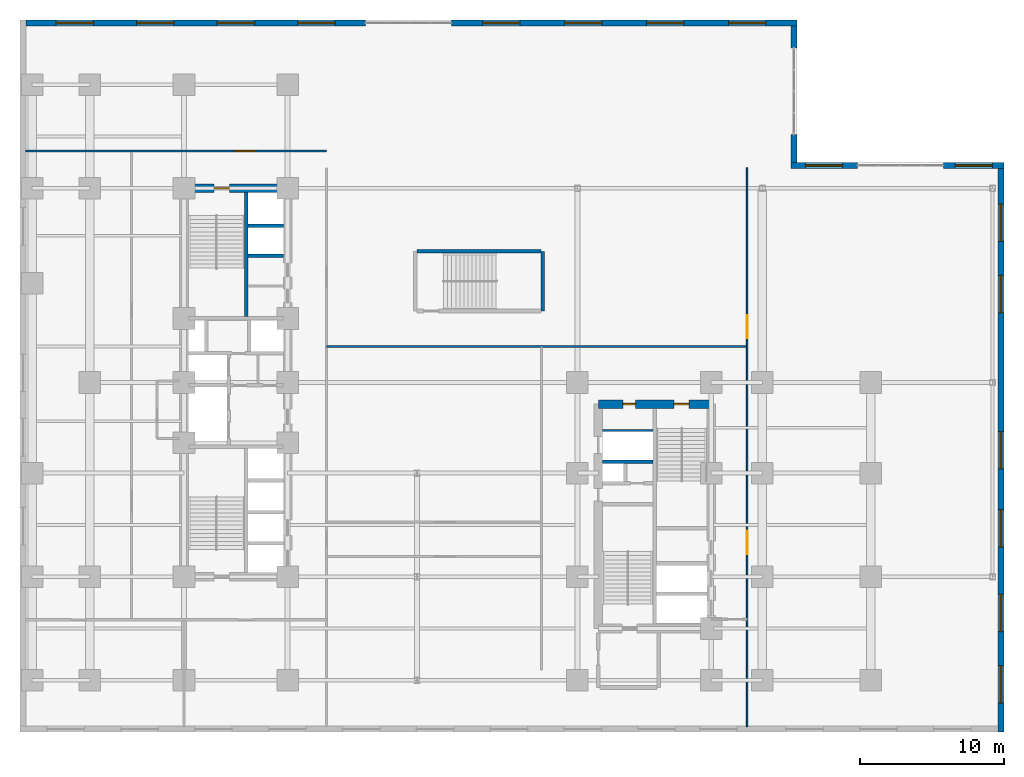
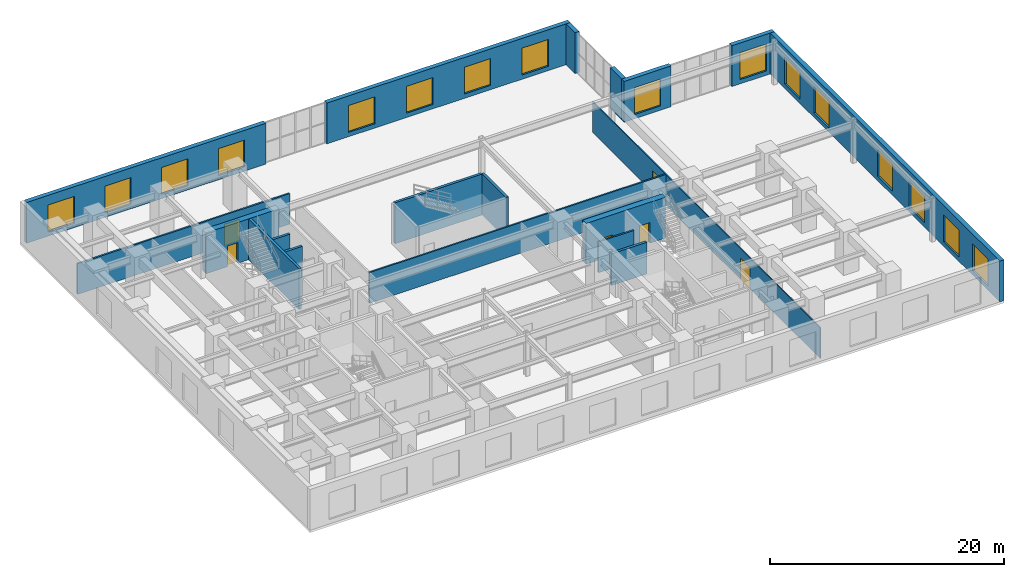
# One storey, part 11 of 15: 19 walls, 16 windows, 6 doors, 22 openings.
"""IFC4 building model written with IfcOpenShell, lengths in metres."""

from ifc_helpers import new_model, entity, si_unit, converted_unit, direction, frame, origin_with_axes, origin_2d_with_axis, place, context, subcontext, project, spatial, polyline, rectangle, outline, extrude, material, layer, layer_set, type_object, element, fill, save


model = new_model("IFC4")

# Units and contexts
model_context = context("Model", 3, precision=1e-05, world=origin_with_axes(), true_north=direction((0.0, 1.0)))
body_context = subcontext(model_context, "Body", "Model", "MODEL_VIEW")
ifc_project = project(units=[si_unit("LENGTHUNIT", "METRE"), si_unit("AREAUNIT", "SQUARE_METRE"), si_unit("VOLUMEUNIT", "CUBIC_METRE"), converted_unit("PLANEANGLEUNIT", "DEGREE", entity("IfcPlaneAngleMeasure", 0.017453292519943295), si_unit("PLANEANGLEUNIT", "RADIAN"), dimensions=[0, 0, 0, 0, 0, 0, 0]), si_unit("MASSUNIT", "GRAM", prefix="KILO"), si_unit("THERMODYNAMICTEMPERATUREUNIT", "KELVIN")], contexts=[model_context])

# Site, building, storey
site_placement = place(None, origin_with_axes())
site = spatial("IfcSite", under=ifc_project, at=site_placement, CompositionType="ELEMENT")
building_placement = place(site_placement, origin_with_axes())
building = spatial("IfcBuilding", under=site, at=building_placement, Name="Varnlund Millrace Tower", CompositionType="ELEMENT")
storey_placement = place(building_placement, frame((0.0, 0.0, 10.8), z_axis=(0.0, 0.0, 1.0), x_axis=(1.0, 0.0, 0.0)))
storey = spatial("IfcBuildingStorey", under=building, at=storey_placement, Name="L02", CompositionType="ELEMENT", Elevation=10.8)

# Wall, opening, door
ifc_material_1 = material(Name="Concrete C80/95", Category="concrete")
ifc_layer_1 = layer(ifc_material_1, 0.6, Name="Concrete C80/95")
ifc_layer_set_1 = layer_set([ifc_layer_1], Name="Concrete C80/95")
wall_type_1 = type_object("IfcWallType", Name="Type-CoreWall-Shear-600-C80", PredefinedType="SHEAR", material=ifc_layer_set_1)
wall_1_placement = place(storey_placement, frame((11.4, 37.8, 0.0), z_axis=(0.0, 0.0, 1.0), x_axis=(1.0, 0.0, 0.0)))
wall_1 = element("IfcWall", 1, at=wall_1_placement, inside=storey, type_object=wall_type_1, Name="Type-CoreWall-Shear-600-C80", PredefinedType="SHEAR", context=body_context, shape_type="SweptSolid", body=[
    extrude(outline(polyline([(0.0, -0.3), (7.2, -0.3), (7.2, 0.3), (0.0, 0.3), (0.0, -0.3)])), origin_with_axes(), (0.0, 0.0, 1.0), 4.26),
])
opening_1_placement = place(wall_1_placement, frame((2.625, 0.0, 0.0), z_axis=(0.0, 0.0, 1.0), x_axis=(1.0, 0.0, 0.0)))
opening_1 = element("IfcOpeningElement", 2, at=opening_1_placement, cuts=wall_1, Name="Opening L02:DR-STA2", PredefinedType="OPENING", context=body_context, shape_type="SweptSolid", body=[
    extrude(rectangle(XDim=1.05, YDim=0.62, at=origin_2d_with_axis()), origin_with_axes(), (0.0, 0.0, 1.0), 2.15),
])
ifc_material_2 = material(Name="Fire-rated hollow steel door", Category="steel")
door_type_1 = type_object("IfcDoorType", Name="Type-FireDoor-Stair-1050X2150", OperationType="NOTDEFINED", PredefinedType="DOOR", material=ifc_material_2)
door_1_placement = place(wall_1_placement, frame((2.625, 0.0, 0.0), z_axis=(0.0, 0.0, 1.0), x_axis=(1.0, 0.0, 0.0)))
door_1 = element("IfcDoor", 3, at=door_1_placement, inside=storey, type_object=door_type_1, Name="Type-FireDoor-Stair-1050X2150", OperationType="SINGLE_SWING_RIGHT", OverallHeight=2.15, OverallWidth=1.05, PredefinedType="DOOR", context=body_context, shape_type="SweptSolid", body=[
    extrude(rectangle(XDim=1.05, YDim=0.09, at=origin_2d_with_axis()), origin_with_axes(), (0.0, 0.0, 1.0), 2.15),
])
fill(opening_1, door_1)

# Wall, openings, doors
wall_2_placement = place(storey_placement, frame((40.2, 22.8, 0.0), z_axis=(0.0, 0.0, 1.0), x_axis=(1.0, 0.0, 0.0)))
wall_2 = element("IfcWall", 4, at=wall_2_placement, inside=storey, type_object=wall_type_1, Name="Type-CoreWall-Shear-600-C80", PredefinedType="SHEAR", context=body_context, shape_type="SweptSolid", body=[
    extrude(outline(polyline([(0.0, -0.3), (7.85, -0.3), (7.85, 0.3), (0.0, 0.3), (0.0, -0.3)])), origin_with_axes(), (0.0, 0.0, 1.0), 4.26),
])
opening_2_placement = place(wall_2_placement, frame((5.775, 0.0, 0.0), z_axis=(0.0, 0.0, 1.0), x_axis=(1.0, 0.0, 0.0)))
opening_2 = element("IfcOpeningElement", 5, at=opening_2_placement, cuts=wall_2, Name="Opening L02:DR-STB2", PredefinedType="OPENING", context=body_context, shape_type="SweptSolid", body=[
    extrude(rectangle(XDim=1.05, YDim=0.62, at=origin_2d_with_axis()), origin_with_axes(), (0.0, 0.0, 1.0), 2.15),
])
opening_3_placement = place(wall_2_placement, frame((2.15, 0.0, 0.0), z_axis=(0.0, 0.0, 1.0), x_axis=(1.0, 0.0, 0.0)))
opening_3 = element("IfcOpeningElement", 6, at=opening_3_placement, cuts=wall_2, Name="Opening L02:DR-CB-NW", PredefinedType="OPENING", context=body_context, shape_type="SweptSolid", body=[
    extrude(rectangle(XDim=0.9, YDim=0.62, at=origin_2d_with_axis()), origin_with_axes(), (0.0, 0.0, 1.0), 2.15),
])
ifc_material_3 = material(Name="Fire-rated hollow steel service closet door", Category="steel")
door_type_2 = type_object("IfcDoorType", Name="Type-FireDoor-Closet-900X2150", OperationType="NOTDEFINED", PredefinedType="DOOR", material=ifc_material_3)
door_2_placement = place(wall_2_placement, frame((2.15, 0.0, 0.0), z_axis=(0.0, 0.0, 1.0), x_axis=(1.0, 0.0, 0.0)))
door_2 = element("IfcDoor", 7, at=door_2_placement, inside=storey, type_object=door_type_2, Name="Type-FireDoor-Closet-900X2150", OperationType="SINGLE_SWING_LEFT", OverallHeight=2.15, OverallWidth=0.9, PredefinedType="DOOR", context=body_context, shape_type="SweptSolid", body=[
    extrude(rectangle(XDim=0.9, YDim=0.09, at=origin_2d_with_axis()), origin_with_axes(), (0.0, 0.0, 1.0), 2.15),
])
fill(opening_3, door_2)
door_3_placement = place(wall_2_placement, frame((5.775, 0.0, 0.0), z_axis=(0.0, 0.0, 1.0), x_axis=(1.0, 0.0, 0.0)))
door_3 = element("IfcDoor", 8, at=door_3_placement, inside=storey, type_object=door_type_1, Name="Type-FireDoor-Stair-1050X2150", OperationType="SINGLE_SWING_RIGHT", OverallHeight=2.15, OverallWidth=1.05, PredefinedType="DOOR", context=body_context, shape_type="SweptSolid", body=[
    extrude(rectangle(XDim=1.05, YDim=0.09, at=origin_2d_with_axis()), origin_with_axes(), (0.0, 0.0, 1.0), 2.15),
])
fill(opening_2, door_3)

# Wall, openings, windows
ifc_material_4 = material(Name="Precast concrete C50/60", Category="concrete")
ifc_layer_2 = layer(ifc_material_4, 0.42, Name="Precast concrete C50/60")
ifc_layer_set_2 = layer_set([ifc_layer_2], Name="Precast concrete C50/60")
wall_type_2 = type_object("IfcWallType", Name="Type-ExtWall-Precast-Pier-420", PredefinedType="SOLIDWALL", material=ifc_layer_set_2)
wall_3_placement = place(storey_placement, frame((0.42, 49.29, 0.0), z_axis=(0.0, 0.0, 1.0), x_axis=(1.0, 0.0, 0.0)))
wall_3 = element("IfcWall", 9, at=wall_3_placement, inside=storey, type_object=wall_type_2, Name="Type-ExtWall-Precast-Pier-420", PredefinedType="SOLIDWALL", context=body_context, shape_type="SweptSolid", body=[
    extrude(outline(polyline([(0.0, -0.21), (23.58, -0.21), (23.58, 0.21), (0.0, 0.21), (0.0, -0.21)])), origin_with_axes(), (0.0, 0.0, 1.0), 4.26),
])
opening_4_placement = place(wall_3_placement, frame((3.398, 0.0, 0.45), z_axis=(0.0, 0.0, 1.0), x_axis=(1.0, 0.0, 0.0)))
opening_4 = element("IfcOpeningElement", 10, at=opening_4_placement, cuts=wall_3, Name="Opening L02:WN-18", PredefinedType="OPENING", context=body_context, shape_type="SweptSolid", body=[
    extrude(rectangle(XDim=2.6, YDim=0.44, at=origin_2d_with_axis()), origin_with_axes(), (0.0, 0.0, 1.0), 2.8),
])
opening_5_placement = place(wall_3_placement, frame((8.992, 0.0, 0.45), z_axis=(0.0, 0.0, 1.0), x_axis=(1.0, 0.0, 0.0)))
opening_5 = element("IfcOpeningElement", 11, at=opening_5_placement, cuts=wall_3, Name="Opening L02:WN-19", PredefinedType="OPENING", context=body_context, shape_type="SweptSolid", body=[
    extrude(rectangle(XDim=2.6, YDim=0.44, at=origin_2d_with_axis()), origin_with_axes(), (0.0, 0.0, 1.0), 2.8),
])
opening_6_placement = place(wall_3_placement, frame((14.587, 0.0, 0.45), z_axis=(0.0, 0.0, 1.0), x_axis=(1.0, 0.0, 0.0)))
opening_6 = element("IfcOpeningElement", 12, at=opening_6_placement, cuts=wall_3, Name="Opening L02:WN-20", PredefinedType="OPENING", context=body_context, shape_type="SweptSolid", body=[
    extrude(rectangle(XDim=2.6, YDim=0.44, at=origin_2d_with_axis()), origin_with_axes(), (0.0, 0.0, 1.0), 2.8),
])
opening_7_placement = place(wall_3_placement, frame((20.183, 0.0, 0.45), z_axis=(0.0, 0.0, 1.0), x_axis=(1.0, 0.0, 0.0)))
opening_7 = element("IfcOpeningElement", 13, at=opening_7_placement, cuts=wall_3, Name="Opening L02:WN-21", PredefinedType="OPENING", context=body_context, shape_type="SweptSolid", body=[
    extrude(rectangle(XDim=2.6, YDim=0.44, at=origin_2d_with_axis()), origin_with_axes(), (0.0, 0.0, 1.0), 2.8),
])
ifc_material_5 = material(Name="Argon low-e triple glazing in thermally broken bronze frame", Category="glass")
window_type = type_object("IfcWindowType", Name="Type-Window-Podium-2600X2800", PartitioningType="SINGLE_PANEL", PredefinedType="WINDOW", material=ifc_material_5)
window_1_placement = place(wall_3_placement, frame((3.398, 0.0, 0.45), z_axis=(0.0, 0.0, 1.0), x_axis=(1.0, 0.0, 0.0)))
window_1 = element("IfcWindow", 14, at=window_1_placement, inside=storey, type_object=window_type, Name="Type-Window-Podium-2600X2800", OverallHeight=2.8, OverallWidth=2.6, PredefinedType="WINDOW", context=body_context, shape_type="SweptSolid", body=[
    extrude(rectangle(XDim=2.6, YDim=0.09, at=origin_2d_with_axis()), origin_with_axes(), (0.0, 0.0, 1.0), 2.8),
])
fill(opening_4, window_1)
window_2_placement = place(wall_3_placement, frame((8.992, 0.0, 0.45), z_axis=(0.0, 0.0, 1.0), x_axis=(1.0, 0.0, 0.0)))
window_2 = element("IfcWindow", 15, at=window_2_placement, inside=storey, type_object=window_type, Name="Type-Window-Podium-2600X2800", OverallHeight=2.8, OverallWidth=2.6, PredefinedType="WINDOW", context=body_context, shape_type="SweptSolid", body=[
    extrude(rectangle(XDim=2.6, YDim=0.09, at=origin_2d_with_axis()), origin_with_axes(), (0.0, 0.0, 1.0), 2.8),
])
fill(opening_5, window_2)
window_3_placement = place(wall_3_placement, frame((14.587, 0.0, 0.45), z_axis=(0.0, 0.0, 1.0), x_axis=(1.0, 0.0, 0.0)))
window_3 = element("IfcWindow", 16, at=window_3_placement, inside=storey, type_object=window_type, Name="Type-Window-Podium-2600X2800", OverallHeight=2.8, OverallWidth=2.6, PredefinedType="WINDOW", context=body_context, shape_type="SweptSolid", body=[
    extrude(rectangle(XDim=2.6, YDim=0.09, at=origin_2d_with_axis()), origin_with_axes(), (0.0, 0.0, 1.0), 2.8),
])
fill(opening_6, window_3)
window_4_placement = place(wall_3_placement, frame((20.183, 0.0, 0.45), z_axis=(0.0, 0.0, 1.0), x_axis=(1.0, 0.0, 0.0)))
window_4 = element("IfcWindow", 17, at=window_4_placement, inside=storey, type_object=window_type, Name="Type-Window-Podium-2600X2800", OverallHeight=2.8, OverallWidth=2.6, PredefinedType="WINDOW", context=body_context, shape_type="SweptSolid", body=[
    extrude(rectangle(XDim=2.6, YDim=0.09, at=origin_2d_with_axis()), origin_with_axes(), (0.0, 0.0, 1.0), 2.8),
])
fill(opening_7, window_4)

wall_4_placement = place(storey_placement, frame((30.0, 49.29, 0.0), z_axis=(0.0, 0.0, 1.0), x_axis=(1.0, 0.0, 0.0)))
wall_4 = element("IfcWall", 18, at=wall_4_placement, inside=storey, type_object=wall_type_2, Name="Type-ExtWall-Precast-Pier-420", PredefinedType="SOLIDWALL", context=body_context, shape_type="SweptSolid", body=[
    extrude(outline(polyline([(0.0, -0.21), (24.0, -0.21), (24.0, 0.21), (0.0, 0.21), (0.0, -0.21)])), origin_with_axes(), (0.0, 0.0, 1.0), 4.26),
])
opening_8_placement = place(wall_4_placement, frame((3.45, 0.0, 0.45), z_axis=(0.0, 0.0, 1.0), x_axis=(1.0, 0.0, 0.0)))
opening_8 = element("IfcOpeningElement", 19, at=opening_8_placement, cuts=wall_4, Name="Opening L02:WN-22", PredefinedType="OPENING", context=body_context, shape_type="SweptSolid", body=[
    extrude(rectangle(XDim=2.6, YDim=0.44, at=origin_2d_with_axis()), origin_with_axes(), (0.0, 0.0, 1.0), 2.8),
])
opening_9_placement = place(wall_4_placement, frame((9.15, 0.0, 0.45), z_axis=(0.0, 0.0, 1.0), x_axis=(1.0, 0.0, 0.0)))
opening_9 = element("IfcOpeningElement", 20, at=opening_9_placement, cuts=wall_4, Name="Opening L02:WN-23", PredefinedType="OPENING", context=body_context, shape_type="SweptSolid", body=[
    extrude(rectangle(XDim=2.6, YDim=0.44, at=origin_2d_with_axis()), origin_with_axes(), (0.0, 0.0, 1.0), 2.8),
])
opening_10_placement = place(wall_4_placement, frame((14.85, 0.0, 0.45), z_axis=(0.0, 0.0, 1.0), x_axis=(1.0, 0.0, 0.0)))
opening_10 = element("IfcOpeningElement", 21, at=opening_10_placement, cuts=wall_4, Name="Opening L02:WN-24", PredefinedType="OPENING", context=body_context, shape_type="SweptSolid", body=[
    extrude(rectangle(XDim=2.6, YDim=0.44, at=origin_2d_with_axis()), origin_with_axes(), (0.0, 0.0, 1.0), 2.8),
])
opening_11_placement = place(wall_4_placement, frame((20.55, 0.0, 0.45), z_axis=(0.0, 0.0, 1.0), x_axis=(1.0, 0.0, 0.0)))
opening_11 = element("IfcOpeningElement", 22, at=opening_11_placement, cuts=wall_4, Name="Opening L02:WN-25", PredefinedType="OPENING", context=body_context, shape_type="SweptSolid", body=[
    extrude(rectangle(XDim=2.6, YDim=0.44, at=origin_2d_with_axis()), origin_with_axes(), (0.0, 0.0, 1.0), 2.8),
])
window_5_placement = place(wall_4_placement, frame((3.45, 0.0, 0.45), z_axis=(0.0, 0.0, 1.0), x_axis=(1.0, 0.0, 0.0)))
window_5 = element("IfcWindow", 23, at=window_5_placement, inside=storey, type_object=window_type, Name="Type-Window-Podium-2600X2800", OverallHeight=2.8, OverallWidth=2.6, PredefinedType="WINDOW", context=body_context, shape_type="SweptSolid", body=[
    extrude(rectangle(XDim=2.6, YDim=0.09, at=origin_2d_with_axis()), origin_with_axes(), (0.0, 0.0, 1.0), 2.8),
])
fill(opening_8, window_5)
window_6_placement = place(wall_4_placement, frame((9.15, 0.0, 0.45), z_axis=(0.0, 0.0, 1.0), x_axis=(1.0, 0.0, 0.0)))
window_6 = element("IfcWindow", 24, at=window_6_placement, inside=storey, type_object=window_type, Name="Type-Window-Podium-2600X2800", OverallHeight=2.8, OverallWidth=2.6, PredefinedType="WINDOW", context=body_context, shape_type="SweptSolid", body=[
    extrude(rectangle(XDim=2.6, YDim=0.09, at=origin_2d_with_axis()), origin_with_axes(), (0.0, 0.0, 1.0), 2.8),
])
fill(opening_9, window_6)
window_7_placement = place(wall_4_placement, frame((14.85, 0.0, 0.45), z_axis=(0.0, 0.0, 1.0), x_axis=(1.0, 0.0, 0.0)))
window_7 = element("IfcWindow", 25, at=window_7_placement, inside=storey, type_object=window_type, Name="Type-Window-Podium-2600X2800", OverallHeight=2.8, OverallWidth=2.6, PredefinedType="WINDOW", context=body_context, shape_type="SweptSolid", body=[
    extrude(rectangle(XDim=2.6, YDim=0.09, at=origin_2d_with_axis()), origin_with_axes(), (0.0, 0.0, 1.0), 2.8),
])
fill(opening_10, window_7)
window_8_placement = place(wall_4_placement, frame((20.55, 0.0, 0.45), z_axis=(0.0, 0.0, 1.0), x_axis=(1.0, 0.0, 0.0)))
window_8 = element("IfcWindow", 26, at=window_8_placement, inside=storey, type_object=window_type, Name="Type-Window-Podium-2600X2800", OverallHeight=2.8, OverallWidth=2.6, PredefinedType="WINDOW", context=body_context, shape_type="SweptSolid", body=[
    extrude(rectangle(XDim=2.6, YDim=0.09, at=origin_2d_with_axis()), origin_with_axes(), (0.0, 0.0, 1.0), 2.8),
])
fill(opening_11, window_8)

# Walls
wall_5_placement = place(storey_placement, frame((53.79, 49.08, 0.0), z_axis=(0.0, 0.0, 1.0), x_axis=(0.0, -1.0, 0.0)))
element("IfcWall", 27, at=wall_5_placement, inside=storey, type_object=wall_type_2, Name="Type-ExtWall-Precast-Pier-420", PredefinedType="SOLIDWALL", context=body_context, shape_type="SweptSolid", body=[
    extrude(outline(polyline([(0.0, -0.21), (1.53, -0.21), (1.53, 0.21), (0.0, 0.21), (0.0, -0.21)])), origin_with_axes(), (0.0, 0.0, 1.0), 4.26),
])
wall_6_placement = place(storey_placement, frame((53.79, 41.55, 0.0), z_axis=(0.0, 0.0, 1.0), x_axis=(0.0, -1.0, 0.0)))
element("IfcWall", 28, at=wall_6_placement, inside=storey, type_object=wall_type_2, Name="Type-ExtWall-Precast-Pier-420", PredefinedType="SOLIDWALL", context=body_context, shape_type="SweptSolid", body=[
    extrude(outline(polyline([(0.0, -0.21), (1.95, -0.21), (1.95, 0.21), (0.0, 0.21), (0.0, -0.21)])), origin_with_axes(), (0.0, 0.0, 1.0), 4.26),
])

# Wall, opening, window
wall_7_placement = place(storey_placement, frame((53.58, 39.39, 0.0), z_axis=(0.0, 0.0, 1.0), x_axis=(1.0, 0.0, 0.0)))
wall_7 = element("IfcWall", 29, at=wall_7_placement, inside=storey, type_object=wall_type_2, Name="Type-ExtWall-Precast-Pier-420", PredefinedType="SOLIDWALL", context=body_context, shape_type="SweptSolid", body=[
    extrude(outline(polyline([(0.0, -0.21), (4.62, -0.21), (4.62, 0.21), (0.0, 0.21), (0.0, -0.21)])), origin_with_axes(), (0.0, 0.0, 1.0), 4.26),
])
opening_12_placement = place(wall_7_placement, frame((2.31, 0.0, 0.45), z_axis=(0.0, 0.0, 1.0), x_axis=(1.0, 0.0, 0.0)))
opening_12 = element("IfcOpeningElement", 30, at=opening_12_placement, cuts=wall_7, Name="Opening L02:WN-26", PredefinedType="OPENING", context=body_context, shape_type="SweptSolid", body=[
    extrude(rectangle(XDim=2.6, YDim=0.44, at=origin_2d_with_axis()), origin_with_axes(), (0.0, 0.0, 1.0), 2.8),
])
window_9_placement = place(wall_7_placement, frame((2.31, 0.0, 0.45), z_axis=(0.0, 0.0, 1.0), x_axis=(1.0, 0.0, 0.0)))
window_9 = element("IfcWindow", 31, at=window_9_placement, inside=storey, type_object=window_type, Name="Type-Window-Podium-2600X2800", OverallHeight=2.8, OverallWidth=2.6, PredefinedType="WINDOW", context=body_context, shape_type="SweptSolid", body=[
    extrude(rectangle(XDim=2.6, YDim=0.09, at=origin_2d_with_axis()), origin_with_axes(), (0.0, 0.0, 1.0), 2.8),
])
fill(opening_12, window_9)

wall_8_placement = place(storey_placement, frame((64.2, 39.39, 0.0), z_axis=(0.0, 0.0, 1.0), x_axis=(1.0, 0.0, 0.0)))
wall_8 = element("IfcWall", 32, at=wall_8_placement, inside=storey, type_object=wall_type_2, Name="Type-ExtWall-Precast-Pier-420", PredefinedType="SOLIDWALL", context=body_context, shape_type="SweptSolid", body=[
    extrude(outline(polyline([(0.0, -0.21), (4.2, -0.21), (4.2, 0.21), (0.0, 0.21), (0.0, -0.21)])), origin_with_axes(), (0.0, 0.0, 1.0), 4.26),
])
opening_13_placement = place(wall_8_placement, frame((2.1, 0.0, 0.45), z_axis=(0.0, 0.0, 1.0), x_axis=(1.0, 0.0, 0.0)))
opening_13 = element("IfcOpeningElement", 33, at=opening_13_placement, cuts=wall_8, Name="Opening L02:WN-27", PredefinedType="OPENING", context=body_context, shape_type="SweptSolid", body=[
    extrude(rectangle(XDim=2.6, YDim=0.44, at=origin_2d_with_axis()), origin_with_axes(), (0.0, 0.0, 1.0), 2.8),
])
window_10_placement = place(wall_8_placement, frame((2.1, 0.0, 0.45), z_axis=(0.0, 0.0, 1.0), x_axis=(1.0, 0.0, 0.0)))
window_10 = element("IfcWindow", 34, at=window_10_placement, inside=storey, type_object=window_type, Name="Type-Window-Podium-2600X2800", OverallHeight=2.8, OverallWidth=2.6, PredefinedType="WINDOW", context=body_context, shape_type="SweptSolid", body=[
    extrude(rectangle(XDim=2.6, YDim=0.09, at=origin_2d_with_axis()), origin_with_axes(), (0.0, 0.0, 1.0), 2.8),
])
fill(opening_13, window_10)

# Wall, openings, windows
wall_9_placement = place(storey_placement, frame((68.19, 39.18, 0.0), z_axis=(0.0, 0.0, 1.0), x_axis=(0.0, -1.0, 0.0)))
wall_9 = element("IfcWall", 35, at=wall_9_placement, inside=storey, type_object=wall_type_2, Name="Type-ExtWall-Precast-Pier-420", PredefinedType="SOLIDWALL", context=body_context, shape_type="SweptSolid", body=[
    extrude(outline(polyline([(0.0, -0.21), (39.18, -0.21), (39.18, 0.21), (0.0, 0.21), (0.0, -0.21)])), origin_with_axes(), (0.0, 0.0, 1.0), 4.26),
])
opening_14_placement = place(wall_9_placement, frame((3.763, 0.0, 0.45), z_axis=(0.0, 0.0, 1.0), x_axis=(1.0, 0.0, 0.0)))
opening_14 = element("IfcOpeningElement", 36, at=opening_14_placement, cuts=wall_9, Name="Opening L02:WN-28", PredefinedType="OPENING", context=body_context, shape_type="SweptSolid", body=[
    extrude(rectangle(XDim=2.6, YDim=0.44, at=origin_2d_with_axis()), origin_with_axes(), (0.0, 0.0, 1.0), 2.8),
])
opening_15_placement = place(wall_9_placement, frame((8.739, 0.0, 0.45), z_axis=(0.0, 0.0, 1.0), x_axis=(1.0, 0.0, 0.0)))
opening_15 = element("IfcOpeningElement", 37, at=opening_15_placement, cuts=wall_9, Name="Opening L02:WN-29", PredefinedType="OPENING", context=body_context, shape_type="SweptSolid", body=[
    extrude(rectangle(XDim=2.6, YDim=0.44, at=origin_2d_with_axis()), origin_with_axes(), (0.0, 0.0, 1.0), 2.8),
])
opening_16_placement = place(wall_9_placement, frame((19.59, 0.0, 0.45), z_axis=(0.0, 0.0, 1.0), x_axis=(1.0, 0.0, 0.0)))
opening_16 = element("IfcOpeningElement", 38, at=opening_16_placement, cuts=wall_9, Name="Opening L02:WN-30", PredefinedType="OPENING", context=body_context, shape_type="SweptSolid", body=[
    extrude(rectangle(XDim=2.6, YDim=0.44, at=origin_2d_with_axis()), origin_with_axes(), (0.0, 0.0, 1.0), 2.8),
])
opening_17_placement = place(wall_9_placement, frame((25.016, 0.0, 0.45), z_axis=(0.0, 0.0, 1.0), x_axis=(1.0, 0.0, 0.0)))
opening_17 = element("IfcOpeningElement", 39, at=opening_17_placement, cuts=wall_9, Name="Opening L02:WN-31", PredefinedType="OPENING", context=body_context, shape_type="SweptSolid", body=[
    extrude(rectangle(XDim=2.6, YDim=0.44, at=origin_2d_with_axis()), origin_with_axes(), (0.0, 0.0, 1.0), 2.8),
])
opening_18_placement = place(wall_9_placement, frame((30.891, 0.0, 0.45), z_axis=(0.0, 0.0, 1.0), x_axis=(1.0, 0.0, 0.0)))
opening_18 = element("IfcOpeningElement", 40, at=opening_18_placement, cuts=wall_9, Name="Opening L02:WN-32", PredefinedType="OPENING", context=body_context, shape_type="SweptSolid", body=[
    extrude(rectangle(XDim=2.6, YDim=0.44, at=origin_2d_with_axis()), origin_with_axes(), (0.0, 0.0, 1.0), 2.8),
])
opening_19_placement = place(wall_9_placement, frame((35.867, 0.0, 0.45), z_axis=(0.0, 0.0, 1.0), x_axis=(1.0, 0.0, 0.0)))
opening_19 = element("IfcOpeningElement", 41, at=opening_19_placement, cuts=wall_9, Name="Opening L02:WN-33", PredefinedType="OPENING", context=body_context, shape_type="SweptSolid", body=[
    extrude(rectangle(XDim=2.6, YDim=0.44, at=origin_2d_with_axis()), origin_with_axes(), (0.0, 0.0, 1.0), 2.8),
])
window_11_placement = place(wall_9_placement, frame((3.763, 0.0, 0.45), z_axis=(0.0, 0.0, 1.0), x_axis=(1.0, 0.0, 0.0)))
window_11 = element("IfcWindow", 42, at=window_11_placement, inside=storey, type_object=window_type, Name="Type-Window-Podium-2600X2800", OverallHeight=2.8, OverallWidth=2.6, PredefinedType="WINDOW", context=body_context, shape_type="SweptSolid", body=[
    extrude(rectangle(XDim=2.6, YDim=0.09, at=origin_2d_with_axis()), origin_with_axes(), (0.0, 0.0, 1.0), 2.8),
])
fill(opening_14, window_11)
window_12_placement = place(wall_9_placement, frame((8.739, 0.0, 0.45), z_axis=(0.0, 0.0, 1.0), x_axis=(1.0, 0.0, 0.0)))
window_12 = element("IfcWindow", 43, at=window_12_placement, inside=storey, type_object=window_type, Name="Type-Window-Podium-2600X2800", OverallHeight=2.8, OverallWidth=2.6, PredefinedType="WINDOW", context=body_context, shape_type="SweptSolid", body=[
    extrude(rectangle(XDim=2.6, YDim=0.09, at=origin_2d_with_axis()), origin_with_axes(), (0.0, 0.0, 1.0), 2.8),
])
fill(opening_15, window_12)
window_13_placement = place(wall_9_placement, frame((19.59, 0.0, 0.45), z_axis=(0.0, 0.0, 1.0), x_axis=(1.0, 0.0, 0.0)))
window_13 = element("IfcWindow", 44, at=window_13_placement, inside=storey, type_object=window_type, Name="Type-Window-Podium-2600X2800", OverallHeight=2.8, OverallWidth=2.6, PredefinedType="WINDOW", context=body_context, shape_type="SweptSolid", body=[
    extrude(rectangle(XDim=2.6, YDim=0.09, at=origin_2d_with_axis()), origin_with_axes(), (0.0, 0.0, 1.0), 2.8),
])
fill(opening_16, window_13)
window_14_placement = place(wall_9_placement, frame((25.016, 0.0, 0.45), z_axis=(0.0, 0.0, 1.0), x_axis=(1.0, 0.0, 0.0)))
window_14 = element("IfcWindow", 45, at=window_14_placement, inside=storey, type_object=window_type, Name="Type-Window-Podium-2600X2800", OverallHeight=2.8, OverallWidth=2.6, PredefinedType="WINDOW", context=body_context, shape_type="SweptSolid", body=[
    extrude(rectangle(XDim=2.6, YDim=0.09, at=origin_2d_with_axis()), origin_with_axes(), (0.0, 0.0, 1.0), 2.8),
])
fill(opening_17, window_14)
window_15_placement = place(wall_9_placement, frame((30.891, 0.0, 0.45), z_axis=(0.0, 0.0, 1.0), x_axis=(1.0, 0.0, 0.0)))
window_15 = element("IfcWindow", 46, at=window_15_placement, inside=storey, type_object=window_type, Name="Type-Window-Podium-2600X2800", OverallHeight=2.8, OverallWidth=2.6, PredefinedType="WINDOW", context=body_context, shape_type="SweptSolid", body=[
    extrude(rectangle(XDim=2.6, YDim=0.09, at=origin_2d_with_axis()), origin_with_axes(), (0.0, 0.0, 1.0), 2.8),
])
fill(opening_18, window_15)
window_16_placement = place(wall_9_placement, frame((35.867, 0.0, 0.45), z_axis=(0.0, 0.0, 1.0), x_axis=(1.0, 0.0, 0.0)))
window_16 = element("IfcWindow", 47, at=window_16_placement, inside=storey, type_object=window_type, Name="Type-Window-Podium-2600X2800", OverallHeight=2.8, OverallWidth=2.6, PredefinedType="WINDOW", context=body_context, shape_type="SweptSolid", body=[
    extrude(rectangle(XDim=2.6, YDim=0.09, at=origin_2d_with_axis()), origin_with_axes(), (0.0, 0.0, 1.0), 2.8),
])
fill(opening_19, window_16)

# Wall
ifc_material_6 = material(Name="Fire-rated gypsum board on cold-formed steel framing", Category="steel")
ifc_layer_3 = layer(ifc_material_6, 0.16, Name="Fire-rated gypsum board on cold-formed steel framing")
ifc_layer_set_3 = layer_set([ifc_layer_3], Name="Fire-rated gypsum board on cold-formed steel framing")
wall_type_3 = type_object("IfcWallType", Name="Type-Partition-Corridor-160", PredefinedType="PARTITIONING", material=ifc_layer_set_3)
wall_10_placement = place(storey_placement, frame((40.5, 20.96, 0.0), z_axis=(0.0, 0.0, 1.0), x_axis=(1.0, 0.0, 0.0)))
element("IfcWall", 48, at=wall_10_placement, inside=storey, type_object=wall_type_3, Name="Type-Partition-Corridor-160", PredefinedType="PARTITIONING", context=body_context, shape_type="SweptSolid", body=[
    extrude(outline(polyline([(0.0, -0.08), (3.5, -0.08), (3.5, 0.08), (0.0, 0.08), (0.0, -0.08)])), origin_with_axes(), (0.0, 0.0, 1.0), 3.2),
])

# Wall, opening, door
wall_11_placement = place(storey_placement, frame((0.38, 40.4, 0.0), z_axis=(0.0, 0.0, 1.0), x_axis=(1.0, 0.0, 0.0)))
wall_11 = element("IfcWall", 49, at=wall_11_placement, inside=storey, type_object=wall_type_3, Name="Type-Partition-Corridor-160", PredefinedType="PARTITIONING", context=body_context, shape_type="SweptSolid", body=[
    extrude(outline(polyline([(0.0, -0.08), (20.92, -0.08), (20.92, 0.08), (0.0, 0.08), (0.0, -0.08)])), origin_with_axes(), (0.0, 0.0, 1.0), 3.2),
])
opening_20_placement = place(wall_11_placement, frame((15.25, 0.0, 0.0), z_axis=(0.0, 0.0, 1.0), x_axis=(1.0, 0.0, 0.0)))
opening_20 = element("IfcOpeningElement", 50, at=opening_20_placement, cuts=wall_11, Name="Opening L02:DR-POD-NW", PredefinedType="OPENING", context=body_context, shape_type="SweptSolid", body=[
    extrude(rectangle(XDim=1.5, YDim=0.18, at=origin_2d_with_axis()), origin_with_axes(), (0.0, 0.0, 1.0), 2.2),
])
ifc_material_7 = material(Name="Architectural bronze and acoustic glass double door", Category="glass")
door_type_3 = type_object("IfcDoorType", Name="Type-IntDoor-SuitePair-1500X2200", OperationType="NOTDEFINED", PredefinedType="DOOR", material=ifc_material_7)
door_4_placement = place(wall_11_placement, frame((15.25, 0.0, 0.0), z_axis=(0.0, 0.0, 1.0), x_axis=(1.0, 0.0, 0.0)))
door_4 = element("IfcDoor", 51, at=door_4_placement, inside=storey, type_object=door_type_3, Name="Type-IntDoor-SuitePair-1500X2200", OperationType="DOUBLE_DOOR_SINGLE_SWING", OverallHeight=2.2, OverallWidth=1.5, PredefinedType="DOOR", context=body_context, shape_type="SweptSolid", body=[
    extrude(rectangle(XDim=1.5, YDim=0.09, at=origin_2d_with_axis()), origin_with_axes(), (0.0, 0.0, 1.0), 2.2),
])
fill(opening_20, door_4)

# Wall
ifc_material_8 = material(Name="Acoustic STC-50 gypsum board partition", Category="gypsum")
ifc_layer_4 = layer(ifc_material_8, 0.15, Name="Acoustic STC-50 gypsum board partition")
ifc_layer_set_4 = layer_set([ifc_layer_4], Name="Acoustic STC-50 gypsum board partition")
wall_type_4 = type_object("IfcWallType", Name="Type-Partition-Demising-150", PredefinedType="PARTITIONING", material=ifc_layer_set_4)
wall_12_placement = place(storey_placement, frame((21.3, 26.8, 0.0), z_axis=(0.0, 0.0, 1.0), x_axis=(1.0, 0.0, 0.0)))
element("IfcWall", 52, at=wall_12_placement, inside=storey, type_object=wall_type_4, Name="Type-Partition-Demising-150", PredefinedType="PARTITIONING", context=body_context, shape_type="SweptSolid", body=[
    extrude(outline(polyline([(0.0, -0.075), (29.25, -0.075), (29.25, 0.075), (0.0, 0.075), (0.0, -0.075)])), origin_with_axes(), (0.0, 0.0, 1.0), 3.2),
])

# Wall, openings, doors
ifc_material_9 = material(Name="Architectural bronze and acoustic glass office front", Category="glass")
ifc_layer_5 = layer(ifc_material_9, 0.1, Name="Architectural bronze and acoustic glass office front")
ifc_layer_set_5 = layer_set([ifc_layer_5], Name="Architectural bronze and acoustic glass office front")
wall_type_5 = type_object("IfcWallType", Name="Type-Partition-Glazed-100", PredefinedType="PARTITIONING", material=ifc_layer_set_5)
wall_13_placement = place(storey_placement, frame((50.55, 0.38, 0.0), z_axis=(0.0, 0.0, 1.0), x_axis=(0.0, 1.0, 0.0)))
wall_13 = element("IfcWall", 53, at=wall_13_placement, inside=storey, type_object=wall_type_5, Name="Type-Partition-Glazed-100", PredefinedType="PARTITIONING", context=body_context, shape_type="SweptSolid", body=[
    extrude(outline(polyline([(0.0, -0.05), (38.84, -0.05), (38.84, 0.05), (0.0, 0.05), (0.0, -0.05)])), origin_with_axes(), (0.0, 0.0, 1.0), 3.2),
])
opening_21_placement = place(wall_13_placement, frame((12.8, 0.0, 0.0), z_axis=(0.0, 0.0, 1.0), x_axis=(1.0, 0.0, 0.0)))
opening_21 = element("IfcOpeningElement", 54, at=opening_21_placement, cuts=wall_13, Name="Opening L02:DR-POD-RV1", PredefinedType="OPENING", context=body_context, shape_type="SweptSolid", body=[
    extrude(rectangle(XDim=1.6, YDim=0.12, at=origin_2d_with_axis()), origin_with_axes(), (0.0, 0.0, 1.0), 2.2),
])
opening_22_placement = place(wall_13_placement, frame((27.8, 0.0, 0.0), z_axis=(0.0, 0.0, 1.0), x_axis=(1.0, 0.0, 0.0)))
opening_22 = element("IfcOpeningElement", 55, at=opening_22_placement, cuts=wall_13, Name="Opening L02:DR-POD-RV2", PredefinedType="OPENING", context=body_context, shape_type="SweptSolid", body=[
    extrude(rectangle(XDim=1.6, YDim=0.12, at=origin_2d_with_axis()), origin_with_axes(), (0.0, 0.0, 1.0), 2.2),
])
ifc_material_10 = material(Name="Architectural bronze concourse double door")
door_type_4 = type_object("IfcDoorType", Name="Type-IntDoor-SuitePair-1600X2200", OperationType="NOTDEFINED", PredefinedType="DOOR", material=ifc_material_10)
door_5_placement = place(wall_13_placement, frame((12.8, 0.0, 0.0), z_axis=(0.0, 0.0, 1.0), x_axis=(1.0, 0.0, 0.0)))
door_5 = element("IfcDoor", 56, at=door_5_placement, inside=storey, type_object=door_type_4, Name="Type-IntDoor-SuitePair-1600X2200", OperationType="DOUBLE_DOOR_SINGLE_SWING", OverallHeight=2.2, OverallWidth=1.6, PredefinedType="DOOR", context=body_context, shape_type="SweptSolid", body=[
    extrude(rectangle(XDim=1.6, YDim=0.06, at=origin_2d_with_axis()), origin_with_axes(), (0.0, 0.0, 1.0), 2.2),
])
fill(opening_21, door_5)
door_6_placement = place(wall_13_placement, frame((27.8, 0.0, 0.0), z_axis=(0.0, 0.0, 1.0), x_axis=(1.0, 0.0, 0.0)))
door_6 = element("IfcDoor", 57, at=door_6_placement, inside=storey, type_object=door_type_4, Name="Type-IntDoor-SuitePair-1600X2200", OperationType="DOUBLE_DOOR_SINGLE_SWING", OverallHeight=2.2, OverallWidth=1.6, PredefinedType="DOOR", context=body_context, shape_type="SweptSolid", body=[
    extrude(rectangle(XDim=1.6, YDim=0.06, at=origin_2d_with_axis()), origin_with_axes(), (0.0, 0.0, 1.0), 2.2),
])
fill(opening_22, door_6)

# Walls
ifc_material_11 = material(Name="Concrete C60/75", Category="concrete")
ifc_layer_6 = layer(ifc_material_11, 0.25, Name="Concrete C60/75")
ifc_layer_set_6 = layer_set([ifc_layer_6], Name="Concrete C60/75")
wall_type_6 = type_object("IfcWallType", Name="Type-ShaftWall-Fire-250", PredefinedType="SOLIDWALL", material=ifc_layer_set_6)
wall_14_placement = place(storey_placement, frame((40.5, 18.8, 0.0), z_axis=(0.0, 0.0, 1.0), x_axis=(1.0, 0.0, 0.0)))
element("IfcWall", 58, at=wall_14_placement, inside=storey, type_object=wall_type_6, Name="Type-ShaftWall-Fire-250", PredefinedType="SOLIDWALL", context=body_context, shape_type="SweptSolid", body=[
    extrude(outline(polyline([(0.0, -0.125), (3.5, -0.125), (3.5, 0.125), (0.0, 0.125), (0.0, -0.125)])), origin_with_axes(), (0.0, 0.0, 1.0), 3.3),
])
for number, where, z_axis, x_axis, name in (
    (59, (15.84, 33.1, 0.0), (0.0, 0.0, 1.0), (1.0, 0.0, 0.0), "Type-ShaftWall-Fire-250"),
    (60, (15.84, 35.2, 0.0), (0.0, 0.0, 1.0), (1.0, 0.0, 0.0), "Type-ShaftWall-Fire-250"),
):
    element("IfcWall", number, at=place(storey_placement, frame(where, z_axis=z_axis, x_axis=x_axis)), inside=storey, type_object=wall_type_6, Name=name, PredefinedType="SOLIDWALL", context=body_context, shape_type="SweptSolid", body=[
        extrude(outline(polyline([(0.0, -0.125), (2.46, -0.125), (2.46, 0.125), (0.0, 0.125), (0.0, -0.125)])), origin_with_axes(), (0.0, 0.0, 1.0), 3.2),
    ])
wall_type_7 = type_object("IfcWallType", Name="Type-StairWall-Shear-250", PredefinedType="SHEAR", material=ifc_layer_set_6)
wall_15_placement = place(storey_placement, frame((15.725, 28.9, 0.0), z_axis=(0.0, 0.0, 1.0), x_axis=(0.0, 1.0, 0.0)))
element("IfcWall", 61, at=wall_15_placement, inside=storey, type_object=wall_type_7, Name="Type-StairWall-Shear-250", PredefinedType="SHEAR", context=body_context, shape_type="SweptSolid", body=[
    extrude(outline(polyline([(0.0, -0.125), (8.6, -0.125), (8.6, 0.125), (0.0, 0.125), (0.0, -0.125)])), origin_with_axes(), (0.0, 0.0, 1.0), 4.26),
])
wall_16_placement = place(storey_placement, frame((36.325, 29.275, 0.0), z_axis=(0.0, 0.0, 1.0), x_axis=(0.0, 1.0, 0.0)))
element("IfcWall", 62, at=wall_16_placement, inside=storey, type_object=wall_type_7, Name="Type-StairWall-Shear-250", PredefinedType="SHEAR", context=body_context, shape_type="SweptSolid", body=[
    extrude(outline(polyline([(0.0, -0.125), (4.15, -0.125), (4.15, 0.125), (0.0, 0.125), (0.0, -0.125)])), origin_with_axes(), (0.0, 0.0, 1.0), 4.26),
])
wall_17_placement = place(storey_placement, frame((27.6, 33.425, 0.0), z_axis=(0.0, 0.0, 1.0), x_axis=(1.0, 0.0, 0.0)))
element("IfcWall", 63, at=wall_17_placement, inside=storey, type_object=wall_type_7, Name="Type-StairWall-Shear-250", PredefinedType="SHEAR", context=body_context, shape_type="SweptSolid", body=[
    extrude(outline(polyline([(0.0, -0.125), (8.6, -0.125), (8.6, 0.125), (0.0, 0.125), (0.0, -0.125)])), origin_with_axes(), (0.0, 0.0, 1.0), 4.26),
])

save(model, "model.ifc")
